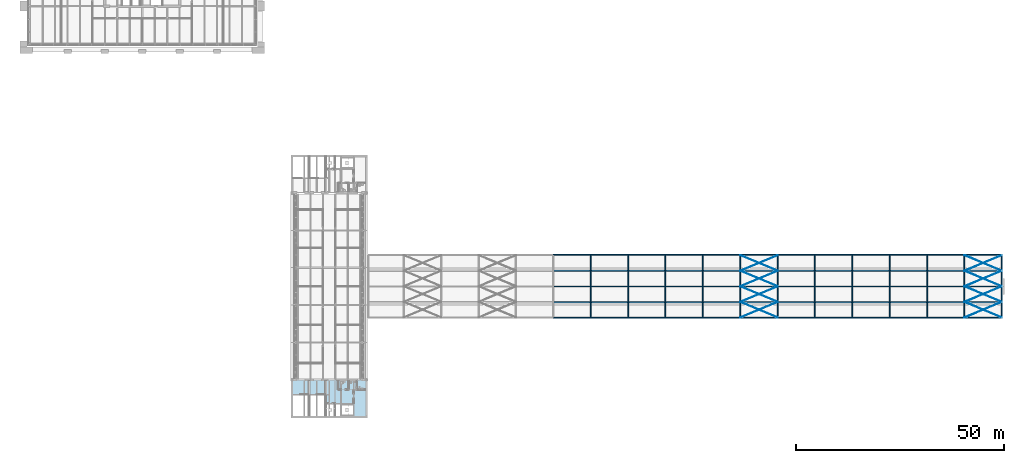
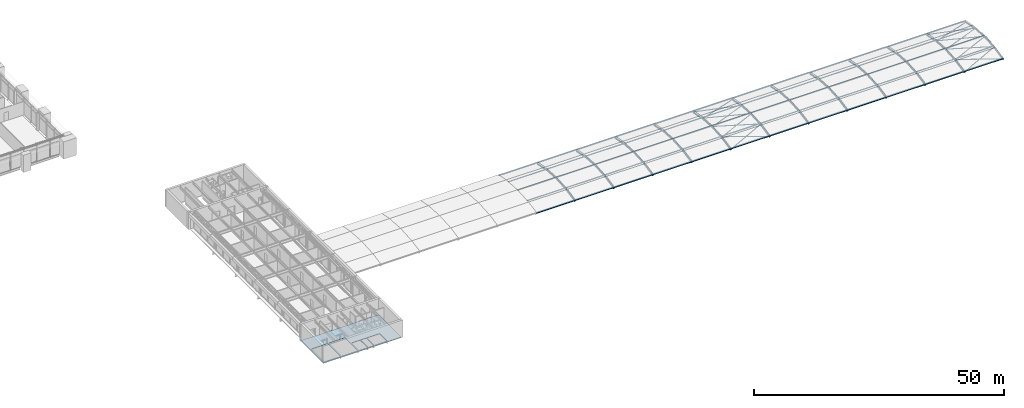
# One storey, part 15 of 43: 124 members, 1 slab.
"""IFC4 building model written with IfcOpenShell, lengths in metres."""

from ifc_helpers import new_model, si_unit, direction, frame, origin, origin_2d, place, context, subcontext, project, spatial, polyline, hollow_rectangle, hollow_circle, outline, extrude, material, layer, layer_set, material_profile, profile_set, type_object, element, save


model = new_model("IFC4")

# Units and contexts
model_context = context("Model", 3, precision=1e-05, world=origin(), true_north=direction((0.0, 1.0)))
body_context = subcontext(model_context, "Body", "Model", "MODEL_VIEW")
ifc_project = project(units=[si_unit("LENGTHUNIT", "METRE"), si_unit("AREAUNIT", "SQUARE_METRE"), si_unit("VOLUMEUNIT", "CUBIC_METRE"), si_unit("PLANEANGLEUNIT", "RADIAN"), si_unit("MASSUNIT", "GRAM", prefix="KILO")], contexts=[model_context])

# Site, building, storey
site_placement = place(None, origin())
site = spatial("IfcSite", under=ifc_project, at=site_placement, CompositionType="ELEMENT")
building_placement = place(site_placement, origin())
building = spatial("IfcBuilding", under=site, at=building_placement, Name="Baradari Gate Terminus", CompositionType="ELEMENT")
storey_placement = place(building_placement, frame((0.0, 0.0, 20.10009765625)))
storey = spatial("IfcBuildingStorey", under=building, at=storey_placement, Name="L04", CompositionType="ELEMENT", Elevation=20.10009765625)

# Members
ifc_material_1 = material(Name="Steel S355", Category="steel")
ifc_material_profile_1 = material_profile(ifc_material_1, hollow_rectangle(XDim=0.199951171875, YDim=0.199951171875, WallThickness=0.008056640625, InnerFilletRadius=0.008056640625, OuterFilletRadius=0.01611328125, at=origin_2d()), Name="SHS 200x200x8")
ifc_profile_set_1 = profile_set([ifc_material_profile_1], Name="Steel S355")
member_type_1 = type_object("IfcMemberType", Name="Shed purlin SHS 200x200x8", PredefinedType="PURLIN", material=ifc_profile_set_1)
for number, where, z_axis, x_axis, name in (
    (1, (135.0, 50.931884765625, -0.006591796875), (1.0, 0.0, 0.0), (0.0, 0.966499648767, 0.256667935149), "TR/L04/B144-PU04"),
    (2, (135.0, 54.715087890625, 0.75), (1.0, 0.0, 0.0), (0.0, 0.99130302961, 0.131599025396), "TR/L04/B144-PU05"),
    (3, (135.0, 58.5, 1.002197265625), (1.0, 0.0, 0.0), (0.0, 1.0, 0.0), "TR/L04/B144-PU06"),
    (4, (135.0, 62.284912109375, 0.75), (1.0, 0.0, 0.0), (0.0, 0.99130302961, -0.131599025396), "TR/L04/B144-PU07"),
    (5, (135.0, 66.068115234375, -0.006591796875), (1.0, 0.0, 0.0), (0.0, 0.966499648767, -0.256667935149), "TR/L04/B144-PU08"),
    (6, (144.0, 50.931884765625, -0.006591796875), (1.0, 0.0, 0.0), (0.0, 0.966499648767, 0.256667935149), "TR/L04/B153-PU04"),
    (7, (144.0, 54.715087890625, 0.75), (1.0, 0.0, 0.0), (0.0, 0.99130302961, 0.131599025396), "TR/L04/B153-PU05"),
    (8, (144.0, 58.5, 1.002197265625), (1.0, 0.0, 0.0), (0.0, 1.0, 0.0), "TR/L04/B153-PU06"),
    (9, (144.0, 62.284912109375, 0.75), (1.0, 0.0, 0.0), (0.0, 0.99130302961, -0.131599025396), "TR/L04/B153-PU07"),
    (10, (144.0, 66.068115234375, -0.006591796875), (1.0, 0.0, 0.0), (0.0, 0.966499648767, -0.256667935149), "TR/L04/B153-PU08"),
    (11, (153.0, 50.931884765625, -0.006591796875), (1.0, 0.0, 0.0), (0.0, 0.966499648767, 0.256667935149), "TR/L04/B162-PU04"),
    (12, (153.0, 54.715087890625, 0.75), (1.0, 0.0, 0.0), (0.0, 0.99130302961, 0.131599025396), "TR/L04/B162-PU05"),
    (13, (153.0, 58.5, 1.002197265625), (1.0, 0.0, 0.0), (0.0, 1.0, 0.0), "TR/L04/B162-PU06"),
    (14, (153.0, 62.284912109375, 0.75), (1.0, 0.0, 0.0), (0.0, 0.99130302961, -0.131599025396), "TR/L04/B162-PU07"),
    (15, (153.0, 66.068115234375, -0.006591796875), (1.0, 0.0, 0.0), (0.0, 0.966499648767, -0.256667935149), "TR/L04/B162-PU08"),
    (16, (162.0, 50.931884765625, -0.006591796875), (1.0, 0.0, 0.0), (0.0, 0.966499648767, 0.256667935149), "TR/L04/B171-PU04"),
    (17, (162.0, 54.715087890625, 0.75), (1.0, 0.0, 0.0), (0.0, 0.99130302961, 0.131599025396), "TR/L04/B171-PU05"),
    (18, (162.0, 58.5, 1.002197265625), (1.0, 0.0, 0.0), (0.0, 1.0, 0.0), "TR/L04/B171-PU06"),
    (19, (162.0, 62.284912109375, 0.75), (1.0, 0.0, 0.0), (0.0, 0.99130302961, -0.131599025396), "TR/L04/B171-PU07"),
    (20, (162.0, 66.068115234375, -0.006591796875), (1.0, 0.0, 0.0), (0.0, 0.966499648767, -0.256667935149), "TR/L04/B171-PU08"),
    (21, (171.0, 50.931884765625, -0.006591796875), (1.0, 0.0, 0.0), (0.0, 0.966499648767, 0.256667935149), "TR/L04/B180-PU04"),
    (22, (171.0, 54.715087890625, 0.75), (1.0, 0.0, 0.0), (0.0, 0.99130302961, 0.131599025396), "TR/L04/B180-PU05"),
    (23, (171.0, 58.5, 1.002197265625), (1.0, 0.0, 0.0), (0.0, 1.0, 0.0), "TR/L04/B180-PU06"),
    (24, (171.0, 62.284912109375, 0.75), (1.0, 0.0, 0.0), (0.0, 0.99130302961, -0.131599025396), "TR/L04/B180-PU07"),
    (25, (171.0, 66.068115234375, -0.006591796875), (1.0, 0.0, 0.0), (0.0, 0.966499648767, -0.256667935149), "TR/L04/B180-PU08"),
    (26, (180.0, 50.931884765625, -0.006591796875), (1.0, 0.0, 0.0), (0.0, 0.966499648767, 0.256667935149), "TR/L04/B189-PU04"),
    (27, (180.0, 54.715087890625, 0.75), (1.0, 0.0, 0.0), (0.0, 0.99130302961, 0.131599025396), "TR/L04/B189-PU05"),
    (28, (180.0, 58.5, 1.002197265625), (1.0, 0.0, 0.0), (0.0, 1.0, 0.0), "TR/L04/B189-PU06"),
    (29, (180.0, 62.284912109375, 0.75), (1.0, 0.0, 0.0), (0.0, 0.99130302961, -0.131599025396), "TR/L04/B189-PU07"),
    (30, (180.0, 66.068115234375, -0.006591796875), (1.0, 0.0, 0.0), (0.0, 0.966499648767, -0.256667935149), "TR/L04/B189-PU08"),
    (31, (189.0, 50.931884765625, -0.006591796875), (1.0, 0.0, 0.0), (0.0, 0.966499648767, 0.256667935149), "TR/L04/B198-PU04"),
    (32, (189.0, 54.715087890625, 0.75), (1.0, 0.0, 0.0), (0.0, 0.99130302961, 0.131599025396), "TR/L04/B198-PU05"),
    (33, (189.0, 58.5, 1.002197265625), (1.0, 0.0, 0.0), (0.0, 1.0, 0.0), "TR/L04/B198-PU06"),
    (34, (189.0, 62.284912109375, 0.75), (1.0, 0.0, 0.0), (0.0, 0.99130302961, -0.131599025396), "TR/L04/B198-PU07"),
    (35, (189.0, 66.068115234375, -0.006591796875), (1.0, 0.0, 0.0), (0.0, 0.966499648767, -0.256667935149), "TR/L04/B198-PU08"),
    (36, (198.0, 50.931884765625, -0.006591796875), (1.0, 0.0, 0.0), (0.0, 0.966499648767, 0.256667935149), "TR/L04/B207-PU04"),
    (37, (198.0, 54.715087890625, 0.75), (1.0, 0.0, 0.0), (0.0, 0.99130302961, 0.131599025396), "TR/L04/B207-PU05"),
    (38, (198.0, 58.5, 1.002197265625), (1.0, 0.0, 0.0), (0.0, 1.0, 0.0), "TR/L04/B207-PU06"),
    (39, (198.0, 62.284912109375, 0.75), (1.0, 0.0, 0.0), (0.0, 0.99130302961, -0.131599025396), "TR/L04/B207-PU07"),
    (40, (198.0, 66.068115234375, -0.006591796875), (1.0, 0.0, 0.0), (0.0, 0.966499648767, -0.256667935149), "TR/L04/B207-PU08"),
    (41, (207.0, 50.931884765625, -0.006591796875), (1.0, 0.0, 0.0), (0.0, 0.966499648767, 0.256667935149), "TR/L04/B216-PU04"),
    (42, (207.0, 54.715087890625, 0.75), (1.0, 0.0, 0.0), (0.0, 0.99130302961, 0.131599025396), "TR/L04/B216-PU05"),
    (43, (207.0, 58.5, 1.002197265625), (1.0, 0.0, 0.0), (0.0, 1.0, 0.0), "TR/L04/B216-PU06"),
    (44, (207.0, 62.284912109375, 0.75), (1.0, 0.0, 0.0), (0.0, 0.99130302961, -0.131599025396), "TR/L04/B216-PU07"),
    (45, (207.0, 66.068115234375, -0.006591796875), (1.0, 0.0, 0.0), (0.0, 0.966499648767, -0.256667935149), "TR/L04/B216-PU08"),
    (46, (216.0, 50.931884765625, -0.006591796875), (1.0, 0.0, 0.0), (0.0, 0.966499648767, 0.256667935149), "TR/L04/B225-PU04"),
    (47, (216.0, 54.715087890625, 0.75), (1.0, 0.0, 0.0), (0.0, 0.99130302961, 0.131599025396), "TR/L04/B225-PU05"),
    (48, (216.0, 58.5, 1.002197265625), (1.0, 0.0, 0.0), (0.0, 1.0, 0.0), "TR/L04/B225-PU06"),
    (49, (216.0, 62.284912109375, 0.75), (1.0, 0.0, 0.0), (0.0, 0.99130302961, -0.131599025396), "TR/L04/B225-PU07"),
    (50, (216.0, 66.068115234375, -0.006591796875), (1.0, 0.0, 0.0), (0.0, 0.966499648767, -0.256667935149), "TR/L04/B225-PU08"),
    (51, (225.0, 50.931884765625, -0.006591796875), (1.0, 0.0, 0.0), (0.0, 0.966499648767, 0.256667935149), "TR/L04/B234-PU04"),
    (52, (225.0, 54.715087890625, 0.75), (1.0, 0.0, 0.0), (0.0, 0.99130302961, 0.131599025396), "TR/L04/B234-PU05"),
    (53, (225.0, 58.5, 1.002197265625), (1.0, 0.0, 0.0), (0.0, 1.0, 0.0), "TR/L04/B234-PU06"),
    (54, (225.0, 62.284912109375, 0.75), (1.0, 0.0, 0.0), (0.0, 0.99130302961, -0.131599025396), "TR/L04/B234-PU07"),
    (55, (225.0, 66.068115234375, -0.006591796875), (1.0, 0.0, 0.0), (0.0, 0.966499648767, -0.256667935149), "TR/L04/B234-PU08"),
    (56, (234.0, 50.931884765625, -0.006591796875), (1.0, 0.0, 0.0), (0.0, 0.966499648767, 0.256667935149), "TR/L04/B243-PU04"),
    (57, (234.0, 54.715087890625, 0.75), (1.0, 0.0, 0.0), (0.0, 0.99130302961, 0.131599025396), "TR/L04/B243-PU05"),
    (58, (234.0, 58.5, 1.002197265625), (1.0, 0.0, 0.0), (0.0, 1.0, 0.0), "TR/L04/B243-PU06"),
    (59, (234.0, 62.284912109375, 0.75), (1.0, 0.0, 0.0), (0.0, 0.99130302961, -0.131599025396), "TR/L04/B243-PU07"),
    (60, (234.0, 66.068115234375, -0.006591796875), (1.0, 0.0, 0.0), (0.0, 0.966499648767, -0.256667935149), "TR/L04/B243-PU08"),
):
    element("IfcMember", number, at=place(storey_placement, frame(where, z_axis=z_axis, x_axis=x_axis)), inside=storey, type_object=member_type_1, Name=name, PredefinedType="PURLIN", context=body_context, shape_type="SweptSolid", body=[
        extrude(hollow_rectangle(XDim=0.199951171875, YDim=0.199951171875, WallThickness=0.008056640625, InnerFilletRadius=0.008056640625, OuterFilletRadius=0.01611328125, at=origin_2d()), origin(), (0.0, 0.0, 1.0), 9.0),
    ])
ifc_material_2 = material(Name="Steel S355", Category="steel")
ifc_material_profile_2 = material_profile(ifc_material_2, hollow_circle(Radius=0.05712890625, WallThickness=0.00634765625, at=origin_2d()), Name="CHS 114.3x6.3")
ifc_profile_set_2 = profile_set([ifc_material_profile_2], Name="Steel S355")
member_type_2 = type_object("IfcMemberType", Name="Shed roof brace CHS 114.3x6.3", PredefinedType="BRACE", material=ifc_profile_set_2)
for number, where, z_axis, x_axis, name in (
    (61, (180.0, 51.0, -0.263671875), (0.920357986617, 0.383482494424, 0.076696498885), (-0.384615384615, 0.923076923077, 0.0), "TR/L04/B189-RB04A"),
    (62, (189.0, 51.0, -0.1494140625), (-0.920357986617, 0.383482494424, 0.076696498885), (-0.384615384615, -0.923076923077, 0.0), "TR/L04/B189-RB04B"),
):
    element("IfcMember", number, at=place(storey_placement, frame(where, z_axis=z_axis, x_axis=x_axis)), inside=storey, type_object=member_type_2, Name=name, PredefinedType="BRACE", context=body_context, shape_type="SweptSolid", body=[
        extrude(hollow_circle(Radius=0.05712890625, WallThickness=0.00634765625, at=origin_2d()), origin(), (0.0, 0.0, 1.0), 9.77880859375),
    ])
for number, where, z_axis, x_axis, name in (
    (63, (180.0, 54.75, 0.486328125), (0.922773628532, 0.384489011888, 0.025632600793), (-0.384615384615, 0.923076923077, 0.0), "TR/L04/B189-RB05A"),
    (64, (189.0, 54.75, 0.6005859375), (-0.922773628532, 0.384489011888, 0.025632600793), (-0.384615384615, -0.923076923077, 0.0), "TR/L04/B189-RB05B"),
    (65, (180.0, 58.5, 0.736328125), (0.922773628532, 0.384489011888, -0.025632600793), (-0.384615384615, 0.923076923077, 0.0), "TR/L04/B189-RB06A"),
    (66, (189.0, 58.5, 0.8505859375), (-0.922773628532, 0.384489011888, -0.025632600793), (-0.384615384615, -0.923076923077, 0.0), "TR/L04/B189-RB06B"),
):
    element("IfcMember", number, at=place(storey_placement, frame(where, z_axis=z_axis, x_axis=x_axis)), inside=storey, type_object=member_type_2, Name=name, PredefinedType="BRACE", context=body_context, shape_type="SweptSolid", body=[
        extrude(hollow_circle(Radius=0.05712890625, WallThickness=0.00634765625, at=origin_2d()), origin(), (0.0, 0.0, 1.0), 9.753173828125),
    ])
for number, where, z_axis, x_axis, name in (
    (67, (180.0, 62.25, 0.486328125), (0.920357986617, 0.383482494424, -0.076696498885), (-0.384615384615, 0.923076923077, 0.0), "TR/L04/B189-RB07A"),
    (68, (189.0, 62.25, 0.6005859375), (-0.920357986617, 0.383482494424, -0.076696498885), (-0.384615384615, -0.923076923077, 0.0), "TR/L04/B189-RB07B"),
    (69, (234.0, 51.0, -0.263671875), (0.920357986617, 0.383482494424, 0.076696498885), (-0.384615384615, 0.923076923077, 0.0), "TR/L04/B243-RB04A"),
    (70, (243.0, 51.0, -0.1494140625), (-0.920357986617, 0.383482494424, 0.076696498885), (-0.384615384615, -0.923076923077, 0.0), "TR/L04/B243-RB04B"),
):
    element("IfcMember", number, at=place(storey_placement, frame(where, z_axis=z_axis, x_axis=x_axis)), inside=storey, type_object=member_type_2, Name=name, PredefinedType="BRACE", context=body_context, shape_type="SweptSolid", body=[
        extrude(hollow_circle(Radius=0.05712890625, WallThickness=0.00634765625, at=origin_2d()), origin(), (0.0, 0.0, 1.0), 9.77880859375),
    ])
for number, where, z_axis, x_axis, name in (
    (71, (234.0, 54.75, 0.486328125), (0.922773628532, 0.384489011888, 0.025632600793), (-0.384615384615, 0.923076923077, 0.0), "TR/L04/B243-RB05A"),
    (72, (243.0, 54.75, 0.6005859375), (-0.922773628532, 0.384489011888, 0.025632600793), (-0.384615384615, -0.923076923077, 0.0), "TR/L04/B243-RB05B"),
    (73, (234.0, 58.5, 0.736328125), (0.922773628532, 0.384489011888, -0.025632600793), (-0.384615384615, 0.923076923077, 0.0), "TR/L04/B243-RB06A"),
    (74, (243.0, 58.5, 0.8505859375), (-0.922773628532, 0.384489011888, -0.025632600793), (-0.384615384615, -0.923076923077, 0.0), "TR/L04/B243-RB06B"),
):
    element("IfcMember", number, at=place(storey_placement, frame(where, z_axis=z_axis, x_axis=x_axis)), inside=storey, type_object=member_type_2, Name=name, PredefinedType="BRACE", context=body_context, shape_type="SweptSolid", body=[
        extrude(hollow_circle(Radius=0.05712890625, WallThickness=0.00634765625, at=origin_2d()), origin(), (0.0, 0.0, 1.0), 9.753173828125),
    ])
for number, where, z_axis, x_axis, name in (
    (75, (234.0, 62.25, 0.486328125), (0.920357986617, 0.383482494424, -0.076696498885), (-0.384615384615, 0.923076923077, 0.0), "TR/L04/B243-RB07A"),
    (76, (243.0, 62.25, 0.6005859375), (-0.920357986617, 0.383482494424, -0.076696498885), (-0.384615384615, -0.923076923077, 0.0), "TR/L04/B243-RB07B"),
):
    element("IfcMember", number, at=place(storey_placement, frame(where, z_axis=z_axis, x_axis=x_axis)), inside=storey, type_object=member_type_2, Name=name, PredefinedType="BRACE", context=body_context, shape_type="SweptSolid", body=[
        extrude(hollow_circle(Radius=0.05712890625, WallThickness=0.00634765625, at=origin_2d()), origin(), (0.0, 0.0, 1.0), 9.77880859375),
    ])
ifc_material_3 = material(Name="Steel S355", Category="steel")
ifc_material_profile_3 = material_profile(ifc_material_3, hollow_circle(Radius=0.177734375, WallThickness=0.01611328125, at=origin_2d()), Name="CHS 355.6x16")
ifc_profile_set_3 = profile_set([ifc_material_profile_3], Name="Steel S355")
member_type_3 = type_object("IfcMemberType", Name="Shed top chord CHS 355.6x16", PredefinedType="CHORD", material=ifc_profile_set_3)
member_1_placement = place(storey_placement, frame((144.0, 51.0, -0.263671875), z_axis=(0.0, 0.980580675691, 0.196116135138), x_axis=(-1.0, 0.0, 0.0)))
element("IfcMember", 77, at=member_1_placement, inside=storey, type_object=member_type_3, Name="TR/L04/S144-TC04", PredefinedType="CHORD", context=body_context, shape_type="SweptSolid", body=[
    extrude(hollow_circle(Radius=0.177734375, WallThickness=0.01611328125, at=origin_2d()), origin(), (0.0, 0.0, 1.0), 3.82421875),
])
for number, where, z_axis, x_axis, name in (
    (78, (144.0, 54.75, 0.486328125), (0.0, 0.997785157857, 0.066519010524), (-1.0, 0.0, 0.0), "TR/L04/S144-TC05"),
    (79, (144.0, 58.5, 0.736328125), (0.0, 0.997785157857, -0.066519010524), (-1.0, 0.0, 0.0), "TR/L04/S144-TC06"),
):
    element("IfcMember", number, at=place(storey_placement, frame(where, z_axis=z_axis, x_axis=x_axis)), inside=storey, type_object=member_type_3, Name=name, PredefinedType="CHORD", context=body_context, shape_type="SweptSolid", body=[
        extrude(hollow_circle(Radius=0.177734375, WallThickness=0.01611328125, at=origin_2d()), origin(), (0.0, 0.0, 1.0), 3.75830078125),
    ])
for number, where, z_axis, x_axis, name in (
    (80, (144.0, 62.25, 0.486328125), (0.0, 0.980580675691, -0.196116135138), (-1.0, 0.0, 0.0), "TR/L04/S144-TC07"),
    (81, (153.0, 51.0, -0.263671875), (0.0, 0.980580675691, 0.196116135138), (-1.0, 0.0, 0.0), "TR/L04/S153-TC04"),
):
    element("IfcMember", number, at=place(storey_placement, frame(where, z_axis=z_axis, x_axis=x_axis)), inside=storey, type_object=member_type_3, Name=name, PredefinedType="CHORD", context=body_context, shape_type="SweptSolid", body=[
        extrude(hollow_circle(Radius=0.177734375, WallThickness=0.01611328125, at=origin_2d()), origin(), (0.0, 0.0, 1.0), 3.82421875),
    ])
for number, where, z_axis, x_axis, name in (
    (82, (153.0, 54.75, 0.486328125), (0.0, 0.997785157857, 0.066519010524), (-1.0, 0.0, 0.0), "TR/L04/S153-TC05"),
    (83, (153.0, 58.5, 0.736328125), (0.0, 0.997785157857, -0.066519010524), (-1.0, 0.0, 0.0), "TR/L04/S153-TC06"),
):
    element("IfcMember", number, at=place(storey_placement, frame(where, z_axis=z_axis, x_axis=x_axis)), inside=storey, type_object=member_type_3, Name=name, PredefinedType="CHORD", context=body_context, shape_type="SweptSolid", body=[
        extrude(hollow_circle(Radius=0.177734375, WallThickness=0.01611328125, at=origin_2d()), origin(), (0.0, 0.0, 1.0), 3.75830078125),
    ])
for number, where, z_axis, x_axis, name in (
    (84, (153.0, 62.25, 0.486328125), (0.0, 0.980580675691, -0.196116135138), (-1.0, 0.0, 0.0), "TR/L04/S153-TC07"),
    (85, (162.0, 51.0, -0.263671875), (0.0, 0.980580675691, 0.196116135138), (-1.0, 0.0, 0.0), "TR/L04/S162-TC04"),
):
    element("IfcMember", number, at=place(storey_placement, frame(where, z_axis=z_axis, x_axis=x_axis)), inside=storey, type_object=member_type_3, Name=name, PredefinedType="CHORD", context=body_context, shape_type="SweptSolid", body=[
        extrude(hollow_circle(Radius=0.177734375, WallThickness=0.01611328125, at=origin_2d()), origin(), (0.0, 0.0, 1.0), 3.82421875),
    ])
for number, where, z_axis, x_axis, name in (
    (86, (162.0, 54.75, 0.486328125), (0.0, 0.997785157857, 0.066519010524), (-1.0, 0.0, 0.0), "TR/L04/S162-TC05"),
    (87, (162.0, 58.5, 0.736328125), (0.0, 0.997785157857, -0.066519010524), (-1.0, 0.0, 0.0), "TR/L04/S162-TC06"),
):
    element("IfcMember", number, at=place(storey_placement, frame(where, z_axis=z_axis, x_axis=x_axis)), inside=storey, type_object=member_type_3, Name=name, PredefinedType="CHORD", context=body_context, shape_type="SweptSolid", body=[
        extrude(hollow_circle(Radius=0.177734375, WallThickness=0.01611328125, at=origin_2d()), origin(), (0.0, 0.0, 1.0), 3.75830078125),
    ])
for number, where, z_axis, x_axis, name in (
    (88, (162.0, 62.25, 0.486328125), (0.0, 0.980580675691, -0.196116135138), (-1.0, 0.0, 0.0), "TR/L04/S162-TC07"),
    (89, (171.0, 51.0, -0.263671875), (0.0, 0.980580675691, 0.196116135138), (-1.0, 0.0, 0.0), "TR/L04/S171-TC04"),
):
    element("IfcMember", number, at=place(storey_placement, frame(where, z_axis=z_axis, x_axis=x_axis)), inside=storey, type_object=member_type_3, Name=name, PredefinedType="CHORD", context=body_context, shape_type="SweptSolid", body=[
        extrude(hollow_circle(Radius=0.177734375, WallThickness=0.01611328125, at=origin_2d()), origin(), (0.0, 0.0, 1.0), 3.82421875),
    ])
for number, where, z_axis, x_axis, name in (
    (90, (171.0, 54.75, 0.486328125), (0.0, 0.997785157857, 0.066519010524), (-1.0, 0.0, 0.0), "TR/L04/S171-TC05"),
    (91, (171.0, 58.5, 0.736328125), (0.0, 0.997785157857, -0.066519010524), (-1.0, 0.0, 0.0), "TR/L04/S171-TC06"),
):
    element("IfcMember", number, at=place(storey_placement, frame(where, z_axis=z_axis, x_axis=x_axis)), inside=storey, type_object=member_type_3, Name=name, PredefinedType="CHORD", context=body_context, shape_type="SweptSolid", body=[
        extrude(hollow_circle(Radius=0.177734375, WallThickness=0.01611328125, at=origin_2d()), origin(), (0.0, 0.0, 1.0), 3.75830078125),
    ])
for number, where, z_axis, x_axis, name in (
    (92, (171.0, 62.25, 0.486328125), (0.0, 0.980580675691, -0.196116135138), (-1.0, 0.0, 0.0), "TR/L04/S171-TC07"),
    (93, (180.0, 51.0, -0.263671875), (0.0, 0.980580675691, 0.196116135138), (-1.0, 0.0, 0.0), "TR/L04/S180-TC04"),
):
    element("IfcMember", number, at=place(storey_placement, frame(where, z_axis=z_axis, x_axis=x_axis)), inside=storey, type_object=member_type_3, Name=name, PredefinedType="CHORD", context=body_context, shape_type="SweptSolid", body=[
        extrude(hollow_circle(Radius=0.177734375, WallThickness=0.01611328125, at=origin_2d()), origin(), (0.0, 0.0, 1.0), 3.82421875),
    ])
for number, where, z_axis, x_axis, name in (
    (94, (180.0, 54.75, 0.486328125), (0.0, 0.997785157857, 0.066519010524), (-1.0, 0.0, 0.0), "TR/L04/S180-TC05"),
    (95, (180.0, 58.5, 0.736328125), (0.0, 0.997785157857, -0.066519010524), (-1.0, 0.0, 0.0), "TR/L04/S180-TC06"),
):
    element("IfcMember", number, at=place(storey_placement, frame(where, z_axis=z_axis, x_axis=x_axis)), inside=storey, type_object=member_type_3, Name=name, PredefinedType="CHORD", context=body_context, shape_type="SweptSolid", body=[
        extrude(hollow_circle(Radius=0.177734375, WallThickness=0.01611328125, at=origin_2d()), origin(), (0.0, 0.0, 1.0), 3.75830078125),
    ])
for number, where, z_axis, x_axis, name in (
    (96, (180.0, 62.25, 0.486328125), (0.0, 0.980580675691, -0.196116135138), (-1.0, 0.0, 0.0), "TR/L04/S180-TC07"),
    (97, (189.0, 51.0, -0.263671875), (0.0, 0.980580675691, 0.196116135138), (-1.0, 0.0, 0.0), "TR/L04/S189-TC04"),
):
    element("IfcMember", number, at=place(storey_placement, frame(where, z_axis=z_axis, x_axis=x_axis)), inside=storey, type_object=member_type_3, Name=name, PredefinedType="CHORD", context=body_context, shape_type="SweptSolid", body=[
        extrude(hollow_circle(Radius=0.177734375, WallThickness=0.01611328125, at=origin_2d()), origin(), (0.0, 0.0, 1.0), 3.82421875),
    ])
for number, where, z_axis, x_axis, name in (
    (98, (189.0, 54.75, 0.486328125), (0.0, 0.997785157857, 0.066519010524), (-1.0, 0.0, 0.0), "TR/L04/S189-TC05"),
    (99, (189.0, 58.5, 0.736328125), (0.0, 0.997785157857, -0.066519010524), (-1.0, 0.0, 0.0), "TR/L04/S189-TC06"),
):
    element("IfcMember", number, at=place(storey_placement, frame(where, z_axis=z_axis, x_axis=x_axis)), inside=storey, type_object=member_type_3, Name=name, PredefinedType="CHORD", context=body_context, shape_type="SweptSolid", body=[
        extrude(hollow_circle(Radius=0.177734375, WallThickness=0.01611328125, at=origin_2d()), origin(), (0.0, 0.0, 1.0), 3.75830078125),
    ])
for number, where, z_axis, x_axis, name in (
    (100, (189.0, 62.25, 0.486328125), (0.0, 0.980580675691, -0.196116135138), (-1.0, 0.0, 0.0), "TR/L04/S189-TC07"),
    (101, (198.0, 51.0, -0.263671875), (0.0, 0.980580675691, 0.196116135138), (-1.0, 0.0, 0.0), "TR/L04/S198-TC04"),
):
    element("IfcMember", number, at=place(storey_placement, frame(where, z_axis=z_axis, x_axis=x_axis)), inside=storey, type_object=member_type_3, Name=name, PredefinedType="CHORD", context=body_context, shape_type="SweptSolid", body=[
        extrude(hollow_circle(Radius=0.177734375, WallThickness=0.01611328125, at=origin_2d()), origin(), (0.0, 0.0, 1.0), 3.82421875),
    ])
for number, where, z_axis, x_axis, name in (
    (102, (198.0, 54.75, 0.486328125), (0.0, 0.997785157857, 0.066519010524), (-1.0, 0.0, 0.0), "TR/L04/S198-TC05"),
    (103, (198.0, 58.5, 0.736328125), (0.0, 0.997785157857, -0.066519010524), (-1.0, 0.0, 0.0), "TR/L04/S198-TC06"),
):
    element("IfcMember", number, at=place(storey_placement, frame(where, z_axis=z_axis, x_axis=x_axis)), inside=storey, type_object=member_type_3, Name=name, PredefinedType="CHORD", context=body_context, shape_type="SweptSolid", body=[
        extrude(hollow_circle(Radius=0.177734375, WallThickness=0.01611328125, at=origin_2d()), origin(), (0.0, 0.0, 1.0), 3.75830078125),
    ])
for number, where, z_axis, x_axis, name in (
    (104, (198.0, 62.25, 0.486328125), (0.0, 0.980580675691, -0.196116135138), (-1.0, 0.0, 0.0), "TR/L04/S198-TC07"),
    (105, (207.0, 51.0, -0.263671875), (0.0, 0.980580675691, 0.196116135138), (-1.0, 0.0, 0.0), "TR/L04/S207-TC04"),
):
    element("IfcMember", number, at=place(storey_placement, frame(where, z_axis=z_axis, x_axis=x_axis)), inside=storey, type_object=member_type_3, Name=name, PredefinedType="CHORD", context=body_context, shape_type="SweptSolid", body=[
        extrude(hollow_circle(Radius=0.177734375, WallThickness=0.01611328125, at=origin_2d()), origin(), (0.0, 0.0, 1.0), 3.82421875),
    ])
for number, where, z_axis, x_axis, name in (
    (106, (207.0, 54.75, 0.486328125), (0.0, 0.997785157857, 0.066519010524), (-1.0, 0.0, 0.0), "TR/L04/S207-TC05"),
    (107, (207.0, 58.5, 0.736328125), (0.0, 0.997785157857, -0.066519010524), (-1.0, 0.0, 0.0), "TR/L04/S207-TC06"),
):
    element("IfcMember", number, at=place(storey_placement, frame(where, z_axis=z_axis, x_axis=x_axis)), inside=storey, type_object=member_type_3, Name=name, PredefinedType="CHORD", context=body_context, shape_type="SweptSolid", body=[
        extrude(hollow_circle(Radius=0.177734375, WallThickness=0.01611328125, at=origin_2d()), origin(), (0.0, 0.0, 1.0), 3.75830078125),
    ])
for number, where, z_axis, x_axis, name in (
    (108, (207.0, 62.25, 0.486328125), (0.0, 0.980580675691, -0.196116135138), (-1.0, 0.0, 0.0), "TR/L04/S207-TC07"),
    (109, (216.0, 51.0, -0.263671875), (0.0, 0.980580675691, 0.196116135138), (-1.0, 0.0, 0.0), "TR/L04/S216-TC04"),
):
    element("IfcMember", number, at=place(storey_placement, frame(where, z_axis=z_axis, x_axis=x_axis)), inside=storey, type_object=member_type_3, Name=name, PredefinedType="CHORD", context=body_context, shape_type="SweptSolid", body=[
        extrude(hollow_circle(Radius=0.177734375, WallThickness=0.01611328125, at=origin_2d()), origin(), (0.0, 0.0, 1.0), 3.82421875),
    ])
for number, where, z_axis, x_axis, name in (
    (110, (216.0, 54.75, 0.486328125), (0.0, 0.997785157857, 0.066519010524), (-1.0, 0.0, 0.0), "TR/L04/S216-TC05"),
    (111, (216.0, 58.5, 0.736328125), (0.0, 0.997785157857, -0.066519010524), (-1.0, 0.0, 0.0), "TR/L04/S216-TC06"),
):
    element("IfcMember", number, at=place(storey_placement, frame(where, z_axis=z_axis, x_axis=x_axis)), inside=storey, type_object=member_type_3, Name=name, PredefinedType="CHORD", context=body_context, shape_type="SweptSolid", body=[
        extrude(hollow_circle(Radius=0.177734375, WallThickness=0.01611328125, at=origin_2d()), origin(), (0.0, 0.0, 1.0), 3.75830078125),
    ])
for number, where, z_axis, x_axis, name in (
    (112, (216.0, 62.25, 0.486328125), (0.0, 0.980580675691, -0.196116135138), (-1.0, 0.0, 0.0), "TR/L04/S216-TC07"),
    (113, (225.0, 51.0, -0.263671875), (0.0, 0.980580675691, 0.196116135138), (-1.0, 0.0, 0.0), "TR/L04/S225-TC04"),
):
    element("IfcMember", number, at=place(storey_placement, frame(where, z_axis=z_axis, x_axis=x_axis)), inside=storey, type_object=member_type_3, Name=name, PredefinedType="CHORD", context=body_context, shape_type="SweptSolid", body=[
        extrude(hollow_circle(Radius=0.177734375, WallThickness=0.01611328125, at=origin_2d()), origin(), (0.0, 0.0, 1.0), 3.82421875),
    ])
for number, where, z_axis, x_axis, name in (
    (114, (225.0, 54.75, 0.486328125), (0.0, 0.997785157857, 0.066519010524), (-1.0, 0.0, 0.0), "TR/L04/S225-TC05"),
    (115, (225.0, 58.5, 0.736328125), (0.0, 0.997785157857, -0.066519010524), (-1.0, 0.0, 0.0), "TR/L04/S225-TC06"),
):
    element("IfcMember", number, at=place(storey_placement, frame(where, z_axis=z_axis, x_axis=x_axis)), inside=storey, type_object=member_type_3, Name=name, PredefinedType="CHORD", context=body_context, shape_type="SweptSolid", body=[
        extrude(hollow_circle(Radius=0.177734375, WallThickness=0.01611328125, at=origin_2d()), origin(), (0.0, 0.0, 1.0), 3.75830078125),
    ])
for number, where, z_axis, x_axis, name in (
    (116, (225.0, 62.25, 0.486328125), (0.0, 0.980580675691, -0.196116135138), (-1.0, 0.0, 0.0), "TR/L04/S225-TC07"),
    (117, (234.0, 51.0, -0.263671875), (0.0, 0.980580675691, 0.196116135138), (-1.0, 0.0, 0.0), "TR/L04/S234-TC04"),
):
    element("IfcMember", number, at=place(storey_placement, frame(where, z_axis=z_axis, x_axis=x_axis)), inside=storey, type_object=member_type_3, Name=name, PredefinedType="CHORD", context=body_context, shape_type="SweptSolid", body=[
        extrude(hollow_circle(Radius=0.177734375, WallThickness=0.01611328125, at=origin_2d()), origin(), (0.0, 0.0, 1.0), 3.82421875),
    ])
for number, where, z_axis, x_axis, name in (
    (118, (234.0, 54.75, 0.486328125), (0.0, 0.997785157857, 0.066519010524), (-1.0, 0.0, 0.0), "TR/L04/S234-TC05"),
    (119, (234.0, 58.5, 0.736328125), (0.0, 0.997785157857, -0.066519010524), (-1.0, 0.0, 0.0), "TR/L04/S234-TC06"),
):
    element("IfcMember", number, at=place(storey_placement, frame(where, z_axis=z_axis, x_axis=x_axis)), inside=storey, type_object=member_type_3, Name=name, PredefinedType="CHORD", context=body_context, shape_type="SweptSolid", body=[
        extrude(hollow_circle(Radius=0.177734375, WallThickness=0.01611328125, at=origin_2d()), origin(), (0.0, 0.0, 1.0), 3.75830078125),
    ])
for number, where, z_axis, x_axis, name in (
    (120, (234.0, 62.25, 0.486328125), (0.0, 0.980580675691, -0.196116135138), (-1.0, 0.0, 0.0), "TR/L04/S234-TC07"),
    (121, (243.0, 51.0, -0.263671875), (0.0, 0.980580675691, 0.196116135138), (-1.0, 0.0, 0.0), "TR/L04/S243-TC04"),
):
    element("IfcMember", number, at=place(storey_placement, frame(where, z_axis=z_axis, x_axis=x_axis)), inside=storey, type_object=member_type_3, Name=name, PredefinedType="CHORD", context=body_context, shape_type="SweptSolid", body=[
        extrude(hollow_circle(Radius=0.177734375, WallThickness=0.01611328125, at=origin_2d()), origin(), (0.0, 0.0, 1.0), 3.82421875),
    ])
for number, where, z_axis, x_axis, name in (
    (122, (243.0, 54.75, 0.486328125), (0.0, 0.997785157857, 0.066519010524), (-1.0, 0.0, 0.0), "TR/L04/S243-TC05"),
    (123, (243.0, 58.5, 0.736328125), (0.0, 0.997785157857, -0.066519010524), (-1.0, 0.0, 0.0), "TR/L04/S243-TC06"),
):
    element("IfcMember", number, at=place(storey_placement, frame(where, z_axis=z_axis, x_axis=x_axis)), inside=storey, type_object=member_type_3, Name=name, PredefinedType="CHORD", context=body_context, shape_type="SweptSolid", body=[
        extrude(hollow_circle(Radius=0.177734375, WallThickness=0.01611328125, at=origin_2d()), origin(), (0.0, 0.0, 1.0), 3.75830078125),
    ])
member_2_placement = place(storey_placement, frame((243.0, 62.25, 0.486328125), z_axis=(0.0, 0.980580675691, -0.196116135138), x_axis=(-1.0, 0.0, 0.0)))
element("IfcMember", 124, at=member_2_placement, inside=storey, type_object=member_type_3, Name="TR/L04/S243-TC07", PredefinedType="CHORD", context=body_context, shape_type="SweptSolid", body=[
    extrude(hollow_circle(Radius=0.177734375, WallThickness=0.01611328125, at=origin_2d()), origin(), (0.0, 0.0, 1.0), 3.82421875),
])

# Slab
ifc_material_4 = material(Name="Concrete C35/45", Category="concrete")
ifc_layer = layer(ifc_material_4, 0.14990234375)
ifc_layer_set = layer_set([ifc_layer], Name="Concrete C35/45")
slab_type = type_object("IfcSlabType", Name="Gate floor slab SL11 150", PredefinedType="FLOOR", material=ifc_layer_set)
slab_placement = place(storey_placement, frame((0.0, 0.0, -0.150146484375)))
element("IfcSlab", 125, at=slab_placement, inside=storey, type_object=slab_type, Name="Core floor GS", PredefinedType="FLOOR", context=body_context, shape_type="SweptSolid", body=[
    extrude(outline(polyline([(72.0, 27.0), (90.0, 27.0), (90.0, 36.0), (72.0, 36.0), (72.0, 27.0)]), holes=[polyline([(86.800048828125, 27.300048828125), (86.800048828125, 30.199951171875), (83.89990234375, 30.199951171875), (83.89990234375, 27.300048828125), (86.800048828125, 27.300048828125)]), polyline([(83.699951171875, 30.199951171875), (82.5, 30.199951171875), (82.5, 27.300048828125), (83.699951171875, 27.300048828125), (83.699951171875, 30.199951171875)]), polyline([(82.300048828125, 30.199951171875), (80.300048828125, 30.199951171875), (80.300048828125, 27.300048828125), (82.300048828125, 27.300048828125), (82.300048828125, 30.199951171875)]), polyline([(76.300048828125, 32.39990234375), (76.300048828125, 27.300048828125), (80.10009765625, 27.300048828125), (80.10009765625, 32.39990234375), (76.300048828125, 32.39990234375)]), polyline([(72.300048828125, 27.300048828125), (76.10009765625, 27.300048828125), (76.10009765625, 32.39990234375), (72.300048828125, 32.39990234375), (72.300048828125, 27.300048828125)])]), origin(), (0.0, 0.0, 1.0), 0.150146484375),
])

save(model, "model.ifc")
